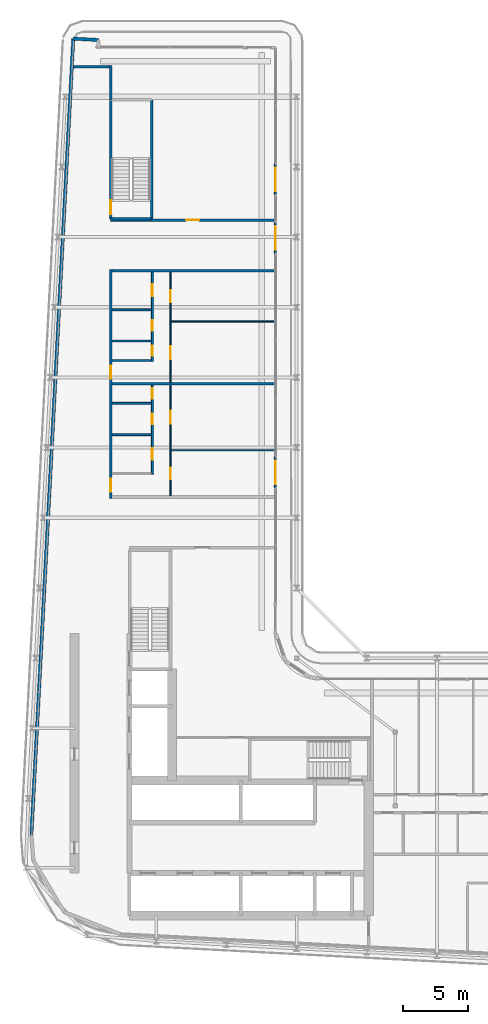
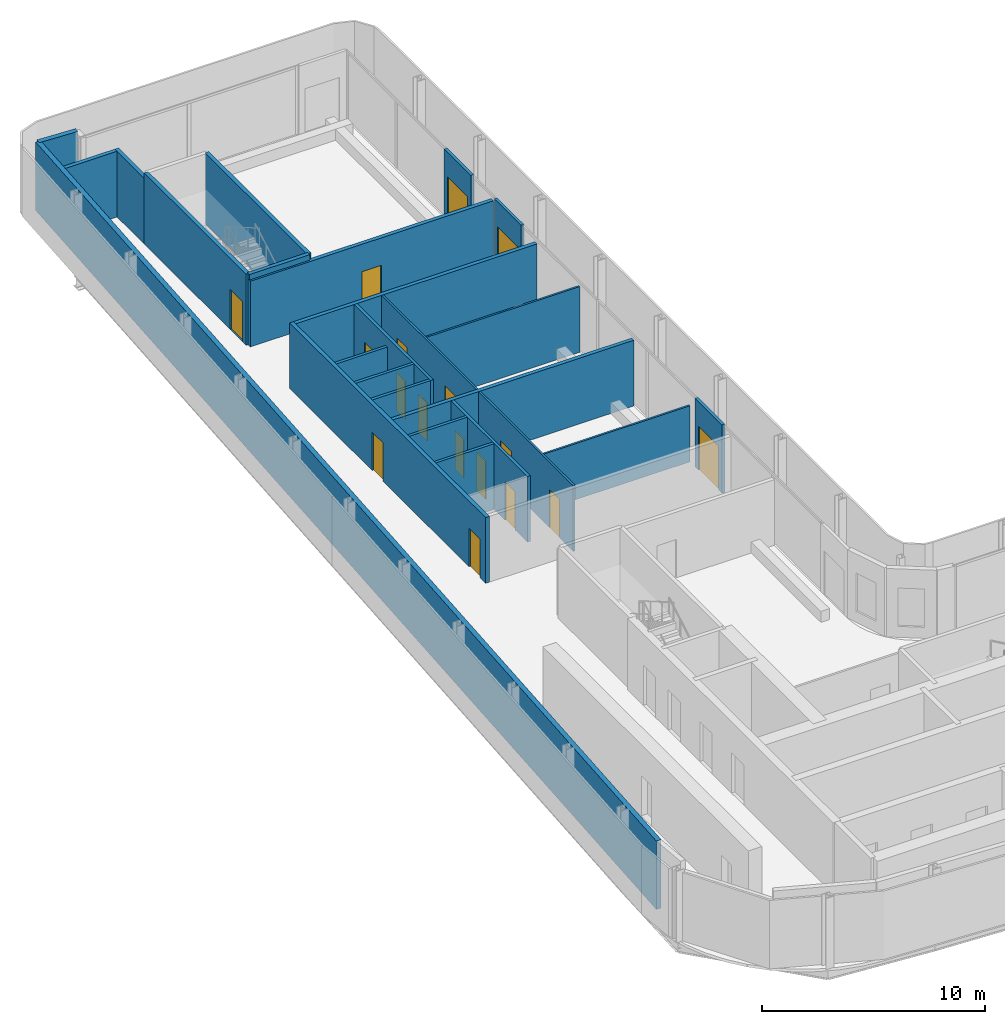
# One storey, part 13 of 21: 25 walls, 17 doors, 17 openings.
"""IFC4 building model written with IfcOpenShell, lengths in metres."""

from ifc_helpers import new_model, si_unit, direction, frame, frame_2d, origin, place, context, subcontext, project, spatial, rectangle, extrude, source, transform, mapped, material, layer, layer_set, type_object, element, fill, save


model = new_model("IFC4")

# Units and contexts
model_context = context("Model", 3, precision=1e-05, world=origin(), true_north=direction((0.0, 1.0)))
body_context = subcontext(model_context, "Body", "Model", "MODEL_VIEW")
ifc_project = project(units=[si_unit("LENGTHUNIT", "METRE"), si_unit("AREAUNIT", "SQUARE_METRE"), si_unit("VOLUMEUNIT", "CUBIC_METRE"), si_unit("PLANEANGLEUNIT", "RADIAN"), si_unit("MASSUNIT", "GRAM", prefix="KILO")], contexts=[model_context])

# Site, building, storey
site_placement = place(None, origin())
site = spatial("IfcSite", under=ifc_project, at=site_placement, CompositionType="ELEMENT")
building_placement = place(site_placement, origin())
building = spatial("IfcBuilding", under=site, at=building_placement, Name="Kheshtan School and Residences Tower", CompositionType="ELEMENT")
storey_placement = place(building_placement, frame((0.0, 0.0, 227.89990234375)))
storey = spatial("IfcBuildingStorey", under=building, at=storey_placement, Name="L53", CompositionType="ELEMENT", Elevation=227.89990234375)

# Wall
ifc_material_1 = material(Name="Gypsum board on steel studs with fire boards", Category="steel")
ifc_layer_1 = layer(ifc_material_1, 0.199951171875)
ifc_layer_set_1 = layer_set([ifc_layer_1], Name="Corridor wall 200")
wall_type_1 = type_object("IfcWallType", Name="Corridor wall 200", PredefinedType="PARTITIONING", material=ifc_layer_set_1)
wall_1_placement = place(storey_placement, frame((30.432373046875, 91.10009765625, 0.0), z_axis=(0.0, 0.0, 1.0), x_axis=(1.0, 0.0, 0.0)))
element("IfcWall", 1, at=wall_1_placement, inside=storey, type_object=wall_type_1, Name="Partition L53-001", PredefinedType="PARTITIONING", context=body_context, shape_type="SweptSolid", body=[
    extrude(rectangle(XDim=2.767578125, YDim=0.199951171875, at=frame_2d((1.3837890625, 0.0))), origin(), (0.0, 0.0, 1.0), 3.60009765625),
])

# Wall, openings, doors
wall_2_placement = place(storey_placement, frame((33.300048828125, 57.89990234375, 0.0), z_axis=(0.0, 0.0, 1.0), x_axis=(0.0, 1.0, 0.0)))
wall_2 = element("IfcWall", 2, at=wall_2_placement, inside=storey, type_object=wall_type_1, Name="Partition L53-002", PredefinedType="PARTITIONING", context=body_context, shape_type="SweptSolid", body=[
    extrude(rectangle(XDim=17.60009765625, YDim=0.199951171875, at=frame_2d((8.800048828125, 0.0))), origin(), (0.0, 0.0, 1.0), 3.60009765625),
])
opening_1_placement = place(wall_2_placement, frame((0.5, 0.0, 0.0)))
opening_1 = element("IfcOpeningElement", 3, at=opening_1_placement, cuts=wall_2, Name="Opening D52-022", PredefinedType="OPENING", context=body_context, shape_type="SweptSolid", body=[
    extrude(rectangle(XDim=1.0, YDim=2.10009765625, at=frame_2d((0.5, 1.050048828125))), frame((0.0, 0.10986328125, 0.0), z_axis=(0.0, -1.0, 0.0), x_axis=(1.0, 0.0, 0.0)), (0.0, 0.0, 1.0), 0.219970703125),
])
opening_2_placement = place(wall_2_placement, frame((9.199951171875, 0.0, 0.0)))
opening_2 = element("IfcOpeningElement", 4, at=opening_2_placement, cuts=wall_2, Name="Opening D52-028", PredefinedType="OPENING", context=body_context, shape_type="SweptSolid", body=[
    extrude(rectangle(XDim=1.0, YDim=2.10009765625, at=frame_2d((0.5, 1.050048828125))), frame((0.0, 0.10986328125, 0.0), z_axis=(0.0, -1.0, 0.0), x_axis=(1.0, 0.0, 0.0)), (0.0, 0.0, 1.0), 0.219970703125),
])
ifc_material_2 = material(Name="Steel-framed fire-resisting door leaf", Category="steel")
door_type_1 = type_object("IfcDoorType", Name="Fire door FD30S 1000 x 2100", OperationType="SINGLE_SWING_LEFT", PredefinedType="DOOR", material=ifc_material_2)
shared_shape_1 = source(origin(), body_context, "Body", "SweptSolid", [
    extrude(rectangle(XDim=1.0, YDim=2.10009765625, at=frame_2d((0.5, 1.050048828125))), frame((0.0, 0.02490234375, 0.0), z_axis=(0.0, -1.0, 0.0), x_axis=(1.0, 0.0, 0.0)), (0.0, 0.0, 1.0), 0.050048828125),
])
door_1_placement = place(opening_1_placement, origin())
door_1 = element("IfcDoor", 5, at=door_1_placement, inside=storey, type_object=door_type_1, Name="Door D52-022", OperationType="SINGLE_SWING_RIGHT", OverallHeight=2.10009765625, OverallWidth=1.0, PredefinedType="DOOR", context=body_context, shape_type="MappedRepresentation", body=[
    mapped(shared_shape_1, transform((0.0, 0.0, 0.0), x_axis=(1.0, 0.0, 0.0), y_axis=(0.0, 1.0, 0.0), z_axis=(0.0, 0.0, 1.0), scale=1.0)),
])
fill(opening_1, door_1)
door_2_placement = place(opening_2_placement, origin())
door_2 = element("IfcDoor", 6, at=door_2_placement, inside=storey, type_object=door_type_1, Name="Door D52-028", OperationType="SINGLE_SWING_LEFT", OverallHeight=2.10009765625, OverallWidth=1.0, PredefinedType="DOOR", context=body_context, shape_type="MappedRepresentation", body=[
    mapped(shared_shape_1, transform((0.0, 0.0, 0.0), x_axis=(1.0, 0.0, 0.0), y_axis=(0.0, 1.0, 0.0), z_axis=(0.0, 0.0, 1.0), scale=1.0)),
])
fill(opening_2, door_2)

# Wall, opening, door
wall_3_placement = place(storey_placement, frame((33.300048828125, 79.300048828125, 0.0), z_axis=(0.0, 0.0, 1.0), x_axis=(1.0, 0.0, 0.0)))
wall_3 = element("IfcWall", 7, at=wall_3_placement, inside=storey, type_object=wall_type_1, Name="Partition L53-003", PredefinedType="PARTITIONING", context=body_context, shape_type="SweptSolid", body=[
    extrude(rectangle(XDim=12.599853515625, YDim=0.199951171875, at=frame_2d((6.2998046875, 0.0))), origin(), (0.0, 0.0, 1.0), 3.60009765625),
])
opening_3_placement = place(wall_3_placement, frame((5.794921875, 0.0, 0.0)))
opening_3 = element("IfcOpeningElement", 8, at=opening_3_placement, cuts=wall_3, Name="Opening D52-035", PredefinedType="OPENING", context=body_context, shape_type="SweptSolid", body=[
    extrude(rectangle(XDim=1.0, YDim=2.10009765625, at=frame_2d((0.5, 1.050048828125))), frame((0.0, 0.10986328125, 0.0), z_axis=(0.0, -1.0, 0.0), x_axis=(1.0, 0.0, 0.0)), (0.0, 0.0, 1.0), 0.219970703125),
])
door_type_2 = type_object("IfcDoorType", Name="Fire door FD60 1000 x 2100", OperationType="SINGLE_SWING_LEFT", PredefinedType="DOOR", material=ifc_material_2)
shared_shape_2 = source(origin(), body_context, "Body", "SweptSolid", [
    extrude(rectangle(XDim=1.0, YDim=2.10009765625, at=frame_2d((0.5, 1.050048828125))), frame((0.0, 0.02490234375, 0.0), z_axis=(0.0, -1.0, 0.0), x_axis=(1.0, 0.0, 0.0)), (0.0, 0.0, 1.0), 0.050048828125),
])
door_3_placement = place(opening_3_placement, origin())
door_3 = element("IfcDoor", 9, at=door_3_placement, inside=storey, type_object=door_type_2, Name="Door D52-035", OperationType="SINGLE_SWING_LEFT", OverallHeight=2.10009765625, OverallWidth=1.0, PredefinedType="DOOR", context=body_context, shape_type="MappedRepresentation", body=[
    mapped(shared_shape_2, transform((0.0, 0.0, 0.0), x_axis=(1.0, 0.0, 0.0), y_axis=(0.0, 1.0, 0.0), z_axis=(0.0, 0.0, 1.0), scale=1.0)),
])
fill(opening_3, door_3)

# Walls
wall_4_placement = place(storey_placement, frame((33.300048828125, 88.56005859375, 0.0), z_axis=(0.0, 0.0, 1.0), x_axis=(0.0, 1.0, 0.0)))
element("IfcWall", 10, at=wall_4_placement, inside=storey, type_object=wall_type_1, Name="Partition L53-004", PredefinedType="PARTITIONING", context=body_context, shape_type="SweptSolid", body=[
    extrude(rectangle(XDim=2.639892578125, YDim=0.199951171875, at=frame_2d((1.31982421875, 0.0))), origin(), (0.0, 0.0, 1.0), 3.60009765625),
])
wall_5_placement = place(storey_placement, frame((33.39990234375, 75.39990234375, 0.0), z_axis=(0.0, 0.0, 1.0), x_axis=(1.0, 0.0, 0.0)))
element("IfcWall", 11, at=wall_5_placement, inside=storey, type_object=wall_type_1, Name="Partition L53-013", PredefinedType="PARTITIONING", context=body_context, shape_type="SweptSolid", body=[
    extrude(rectangle(XDim=12.5, YDim=0.199951171875, at=frame_2d((6.25, 0.0))), origin(), (0.0, 0.0, 1.0), 3.60009765625),
])
ifc_material_3 = material(Name="Concrete C40/50 with ceramic cladding and mineral wool insulation", Category="concrete")
ifc_layer_2 = layer(ifc_material_3, 0.25)
ifc_layer_set_2 = layer_set([ifc_layer_2], Name="External wall 250 ceramic clad")
wall_type_2 = type_object("IfcWallType", Name="External wall 250 ceramic clad", PredefinedType="SOLIDWALL", material=ifc_layer_set_2)
wall_6_placement = place(storey_placement, frame((30.4208984375, 93.263916015625, 0.0), z_axis=(0.0, 0.0, 1.0), x_axis=(0.998577785791, -0.053314216913, 0.0)))
element("IfcWall", 12, at=wall_6_placement, inside=storey, type_object=wall_type_2, Name="External wall L53 1", PredefinedType="SOLIDWALL", context=body_context, shape_type="SweptSolid", body=[
    extrude(rectangle(XDim=1.95068359375, YDim=0.25, at=frame_2d((0.975341796875, 0.0))), origin(), (0.0, 0.0, 1.0), 3.75),
])
wall_7_placement = place(storey_placement, frame((27.195068359375, 31.968994140625, 0.0), z_axis=(0.0, 0.0, 1.0), x_axis=(0.052555284099, 0.998618016117, 0.0)))
element("IfcWall", 13, at=wall_7_placement, inside=storey, type_object=wall_type_2, Name="External wall L53 16", PredefinedType="SOLIDWALL", context=body_context, shape_type="SweptSolid", body=[
    extrude(rectangle(XDim=61.379638671875, YDim=0.25, at=frame_2d((30.68994140625, 0.0))), origin(), (0.0, 0.0, 1.0), 3.75),
])

# Wall, opening, door
ifc_material_4 = material(Name="Aluminium frame wall with insulated infill", Category="aluminium")
ifc_layer_3 = layer(ifc_material_4, 0.14990234375)
ifc_layer_set_3 = layer_set([ifc_layer_3], Name="Glazing frame wall 150")
wall_type_3 = type_object("IfcWallType", Name="Glazing frame wall 150", PredefinedType="SOLIDWALL", material=ifc_layer_set_3)
wall_8_placement = place(storey_placement, frame((45.97509765625, 83.632080078125, 0.0), z_axis=(0.0, 0.0, 1.0), x_axis=(0.0, -1.0, 0.0)))
wall_8 = element("IfcWall", 14, at=wall_8_placement, inside=storey, type_object=wall_type_3, Name="Balcony door wall L53 4.1", PredefinedType="SOLIDWALL", context=body_context, shape_type="SweptSolid", body=[
    extrude(rectangle(XDim=2.399169921875, YDim=0.14990234375, at=frame_2d((1.19970703125, 0.0))), origin(), (0.0, 0.0, 1.0), 3.75),
])
opening_4_placement = place(wall_8_placement, frame((0.300048828125, 0.0, 0.0)))
opening_4 = element("IfcOpeningElement", 15, at=opening_4_placement, cuts=wall_8, Name="Opening BD", PredefinedType="OPENING", context=body_context, shape_type="SweptSolid", body=[
    extrude(rectangle(XDim=1.800048828125, YDim=2.39990234375, at=frame_2d((0.89990234375, 1.199951171875))), frame((0.0, 0.0849609375, 0.0), z_axis=(0.0, -1.0, 0.0), x_axis=(1.0, 0.0, 0.0)), (0.0, 0.0, 1.0), 0.169921875),
])
ifc_material_5 = material(Name="Clear low-e glass in thermally broken aluminium frame", Category="aluminium")
door_type_3 = type_object("IfcDoorType", Name="Balcony sliding door", OperationType="SLIDING_TO_LEFT", PredefinedType="DOOR", material=ifc_material_5)
shared_shape_3 = source(origin(), body_context, "Body", "SweptSolid", [
    extrude(rectangle(XDim=1.800048828125, YDim=2.39990234375, at=frame_2d((0.89990234375, 1.199951171875))), frame((0.0, 0.02490234375, 0.0), z_axis=(0.0, -1.0, 0.0), x_axis=(1.0, 0.0, 0.0)), (0.0, 0.0, 1.0), 0.050048828125),
])
door_4_placement = place(opening_4_placement, origin())
door_4 = element("IfcDoor", 16, at=door_4_placement, inside=storey, type_object=door_type_3, Name="Balcony door L53 4.1", OperationType="SLIDING_TO_LEFT", OverallHeight=2.39990234375, OverallWidth=1.800048828125, PredefinedType="DOOR", context=body_context, shape_type="MappedRepresentation", body=[
    mapped(shared_shape_3, transform((0.0, 0.0, 0.0), x_axis=(1.0, 0.0, 0.0), y_axis=(0.0, 1.0, 0.0), z_axis=(0.0, 0.0, 1.0), scale=1.0)),
])
fill(opening_4, door_4)

wall_9_placement = place(storey_placement, frame((45.97509765625, 79.132080078125, 0.0), z_axis=(0.0, 0.0, 1.0), x_axis=(0.0, -1.0, 0.0)))
wall_9 = element("IfcWall", 17, at=wall_9_placement, inside=storey, type_object=wall_type_3, Name="Balcony door wall L53 4.2", PredefinedType="SOLIDWALL", context=body_context, shape_type="SweptSolid", body=[
    extrude(rectangle(XDim=2.399169921875, YDim=0.14990234375, at=frame_2d((1.19970703125, 0.0))), origin(), (0.0, 0.0, 1.0), 3.75),
])
opening_5_placement = place(wall_9_placement, frame((0.300048828125, 0.0, 0.0)))
opening_5 = element("IfcOpeningElement", 18, at=opening_5_placement, cuts=wall_9, Name="Opening BD", PredefinedType="OPENING", context=body_context, shape_type="SweptSolid", body=[
    extrude(rectangle(XDim=1.800048828125, YDim=2.39990234375, at=frame_2d((0.89990234375, 1.199951171875))), frame((0.0, 0.0849609375, 0.0), z_axis=(0.0, -1.0, 0.0), x_axis=(1.0, 0.0, 0.0)), (0.0, 0.0, 1.0), 0.169921875),
])
door_5_placement = place(opening_5_placement, origin())
door_5 = element("IfcDoor", 19, at=door_5_placement, inside=storey, type_object=door_type_3, Name="Balcony door L53 4.2", OperationType="SLIDING_TO_LEFT", OverallHeight=2.39990234375, OverallWidth=1.800048828125, PredefinedType="DOOR", context=body_context, shape_type="MappedRepresentation", body=[
    mapped(shared_shape_3, transform((0.0, 0.0, 0.0), x_axis=(1.0, 0.0, 0.0), y_axis=(0.0, 1.0, 0.0), z_axis=(0.0, 0.0, 1.0), scale=1.0)),
])
fill(opening_5, door_5)

wall_10_placement = place(storey_placement, frame((45.97509765625, 61.096923828125, 0.0), z_axis=(0.0, 0.0, 1.0), x_axis=(0.0, -1.0, 0.0)))
wall_10 = element("IfcWall", 20, at=wall_10_placement, inside=storey, type_object=wall_type_3, Name="Balcony door wall L53 4.3", PredefinedType="SOLIDWALL", context=body_context, shape_type="SweptSolid", body=[
    extrude(rectangle(XDim=2.39990234375, YDim=0.14990234375, at=frame_2d((1.199951171875, 0.0))), origin(), (0.0, 0.0, 1.0), 3.75),
])
opening_6_placement = place(wall_10_placement, frame((0.300048828125, 0.0, 0.0)))
opening_6 = element("IfcOpeningElement", 21, at=opening_6_placement, cuts=wall_10, Name="Opening BD", PredefinedType="OPENING", context=body_context, shape_type="SweptSolid", body=[
    extrude(rectangle(XDim=1.800048828125, YDim=2.39990234375, at=frame_2d((0.89990234375, 1.199951171875))), frame((0.0, 0.0849609375, 0.0), z_axis=(0.0, -1.0, 0.0), x_axis=(1.0, 0.0, 0.0)), (0.0, 0.0, 1.0), 0.169921875),
])
door_6_placement = place(opening_6_placement, origin())
door_6 = element("IfcDoor", 22, at=door_6_placement, inside=storey, type_object=door_type_3, Name="Balcony door L53 4.3", OperationType="SLIDING_TO_LEFT", OverallHeight=2.39990234375, OverallWidth=1.800048828125, PredefinedType="DOOR", context=body_context, shape_type="MappedRepresentation", body=[
    mapped(shared_shape_3, transform((0.0, 0.0, 0.0), x_axis=(1.0, 0.0, 0.0), y_axis=(0.0, 1.0, 0.0), z_axis=(0.0, 0.0, 1.0), scale=1.0)),
])
fill(opening_6, door_6)

# Wall, openings, doors
ifc_material_6 = material(Name="Gypsum board on steel studs", Category="steel")
ifc_layer_4 = layer(ifc_material_6, 0.10009765625)
ifc_layer_set_4 = layer_set([ifc_layer_4], Name="Gypsum partition 100")
wall_type_4 = type_object("IfcWallType", Name="Gypsum partition 100", PredefinedType="PARTITIONING", material=ifc_layer_set_4)
wall_11_placement = place(storey_placement, frame((37.89990234375, 58.10009765625, 0.0), z_axis=(0.0, 0.0, 1.0), x_axis=(0.0, 1.0, 0.0)))
wall_11 = element("IfcWall", 23, at=wall_11_placement, inside=storey, type_object=wall_type_4, Name="Partition L53-017", PredefinedType="PARTITIONING", context=body_context, shape_type="SweptSolid", body=[
    extrude(rectangle(XDim=8.5, YDim=0.10009765625, at=frame_2d((4.25, 0.0))), origin(), (0.0, 0.0, 1.0), 3.60009765625),
])
opening_7_placement = place(wall_11_placement, frame((1.25, 0.0, 0.0)))
opening_7 = element("IfcOpeningElement", 24, at=opening_7_placement, cuts=wall_11, Name="Opening D52-021", PredefinedType="OPENING", context=body_context, shape_type="SweptSolid", body=[
    extrude(rectangle(XDim=0.89990234375, YDim=2.10009765625, at=frame_2d((0.449951171875, 1.050048828125))), frame((0.0, 0.06005859375, 0.0), z_axis=(0.0, -1.0, 0.0), x_axis=(1.0, 0.0, 0.0)), (0.0, 0.0, 1.0), 0.1201171875),
])
opening_8_placement = place(wall_11_placement, frame((5.550048828125, 0.0, 0.0)))
opening_8 = element("IfcOpeningElement", 25, at=opening_8_placement, cuts=wall_11, Name="Opening D52-024", PredefinedType="OPENING", context=body_context, shape_type="SweptSolid", body=[
    extrude(rectangle(XDim=1.0, YDim=2.10009765625, at=frame_2d((0.5, 1.050048828125))), frame((0.0, 0.06005859375, 0.0), z_axis=(0.0, -1.0, 0.0), x_axis=(1.0, 0.0, 0.0)), (0.0, 0.0, 1.0), 0.1201171875),
])
ifc_material_7 = material(Name="Veneered timber door leaf", Category="wood")
door_type_4 = type_object("IfcDoorType", Name="Door 1000 x 2100", OperationType="SINGLE_SWING_LEFT", PredefinedType="DOOR", material=ifc_material_7)
shared_shape_4 = source(origin(), body_context, "Body", "SweptSolid", [
    extrude(rectangle(XDim=1.0, YDim=2.10009765625, at=frame_2d((0.5, 1.050048828125))), frame((0.0, 0.02490234375, 0.0), z_axis=(0.0, -1.0, 0.0), x_axis=(1.0, 0.0, 0.0)), (0.0, 0.0, 1.0), 0.050048828125),
])
door_7_placement = place(opening_8_placement, origin())
door_7 = element("IfcDoor", 26, at=door_7_placement, inside=storey, type_object=door_type_4, Name="Door D52-024", OperationType="SINGLE_SWING_RIGHT", OverallHeight=2.10009765625, OverallWidth=1.0, PredefinedType="DOOR", context=body_context, shape_type="MappedRepresentation", body=[
    mapped(shared_shape_4, transform((0.0, 0.0, 0.0), x_axis=(1.0, 0.0, 0.0), y_axis=(0.0, 1.0, 0.0), z_axis=(0.0, 0.0, 1.0), scale=1.0)),
])
fill(opening_8, door_7)
door_type_5 = type_object("IfcDoorType", Name="Door 900 x 2100", OperationType="SINGLE_SWING_LEFT", PredefinedType="DOOR", material=ifc_material_7)
shared_shape_5 = source(origin(), body_context, "Body", "SweptSolid", [
    extrude(rectangle(XDim=0.89990234375, YDim=2.10009765625, at=frame_2d((0.449951171875, 1.050048828125))), frame((0.0, 0.02490234375, 0.0), z_axis=(0.0, -1.0, 0.0), x_axis=(1.0, 0.0, 0.0)), (0.0, 0.0, 1.0), 0.050048828125),
])
door_8_placement = place(opening_7_placement, origin())
door_8 = element("IfcDoor", 27, at=door_8_placement, inside=storey, type_object=door_type_5, Name="Door D52-021", OperationType="SINGLE_SWING_LEFT", OverallHeight=2.10009765625, OverallWidth=0.89990234375, PredefinedType="DOOR", context=body_context, shape_type="MappedRepresentation", body=[
    mapped(shared_shape_5, transform((0.0, 0.0, 0.0), x_axis=(1.0, 0.0, 0.0), y_axis=(0.0, 1.0, 0.0), z_axis=(0.0, 0.0, 1.0), scale=1.0)),
])
fill(opening_7, door_8)

wall_12_placement = place(storey_placement, frame((37.89990234375, 66.800048828125, 0.0), z_axis=(0.0, 0.0, 1.0), x_axis=(0.0, 1.0, 0.0)))
wall_12 = element("IfcWall", 28, at=wall_12_placement, inside=storey, type_object=wall_type_4, Name="Partition L53-018", PredefinedType="PARTITIONING", context=body_context, shape_type="SweptSolid", body=[
    extrude(rectangle(XDim=8.5, YDim=0.10009765625, at=frame_2d((4.25, 0.0))), origin(), (0.0, 0.0, 1.0), 3.60009765625),
])
opening_9_placement = place(wall_12_placement, frame((6.199951171875, 0.0, 0.0)))
opening_9 = element("IfcOpeningElement", 29, at=opening_9_placement, cuts=wall_12, Name="Opening D52-027", PredefinedType="OPENING", context=body_context, shape_type="SweptSolid", body=[
    extrude(rectangle(XDim=0.89990234375, YDim=2.10009765625, at=frame_2d((0.449951171875, 1.050048828125))), frame((0.0, 0.06005859375, 0.0), z_axis=(0.0, -1.0, 0.0), x_axis=(1.0, 0.0, 0.0)), (0.0, 0.0, 1.0), 0.1201171875),
])
opening_10_placement = place(wall_12_placement, frame((1.800048828125, 0.0, 0.0)))
opening_10 = element("IfcOpeningElement", 30, at=opening_10_placement, cuts=wall_12, Name="Opening D52-030", PredefinedType="OPENING", context=body_context, shape_type="SweptSolid", body=[
    extrude(rectangle(XDim=1.0, YDim=2.10009765625, at=frame_2d((0.5, 1.050048828125))), frame((0.0, 0.06005859375, 0.0), z_axis=(0.0, -1.0, 0.0), x_axis=(1.0, 0.0, 0.0)), (0.0, 0.0, 1.0), 0.1201171875),
])
door_9_placement = place(opening_10_placement, origin())
door_9 = element("IfcDoor", 31, at=door_9_placement, inside=storey, type_object=door_type_4, Name="Door D52-030", OperationType="SINGLE_SWING_RIGHT", OverallHeight=2.10009765625, OverallWidth=1.0, PredefinedType="DOOR", context=body_context, shape_type="MappedRepresentation", body=[
    mapped(shared_shape_4, transform((0.0, 0.0, 0.0), x_axis=(1.0, 0.0, 0.0), y_axis=(0.0, 1.0, 0.0), z_axis=(0.0, 0.0, 1.0), scale=1.0)),
])
fill(opening_10, door_9)
door_10_placement = place(opening_9_placement, origin())
door_10 = element("IfcDoor", 32, at=door_10_placement, inside=storey, type_object=door_type_5, Name="Door D52-027", OperationType="SINGLE_SWING_RIGHT", OverallHeight=2.10009765625, OverallWidth=0.89990234375, PredefinedType="DOOR", context=body_context, shape_type="MappedRepresentation", body=[
    mapped(shared_shape_5, transform((0.0, 0.0, 0.0), x_axis=(1.0, 0.0, 0.0), y_axis=(0.0, 1.0, 0.0), z_axis=(0.0, 0.0, 1.0), scale=1.0)),
])
fill(opening_9, door_10)

# Walls
wall_13_placement = place(storey_placement, frame((37.949951171875, 61.60009765625, 0.0), z_axis=(0.0, 0.0, 1.0), x_axis=(1.0, 0.0, 0.0)))
element("IfcWall", 33, at=wall_13_placement, inside=storey, type_object=wall_type_4, Name="Partition L53-019", PredefinedType="PARTITIONING", context=body_context, shape_type="SweptSolid", body=[
    extrude(rectangle(XDim=7.949951171875, YDim=0.10009765625, at=frame_2d((3.97509765625, 0.0))), origin(), (0.0, 0.0, 1.0), 3.072021484375),
])
wall_14_placement = place(storey_placement, frame((37.949951171875, 71.5, 0.0), z_axis=(0.0, 0.0, 1.0), x_axis=(1.0, 0.0, 0.0)))
element("IfcWall", 34, at=wall_14_placement, inside=storey, type_object=wall_type_4, Name="Partition L53-020", PredefinedType="PARTITIONING", context=body_context, shape_type="SweptSolid", body=[
    extrude(rectangle(XDim=7.949951171875, YDim=0.10009765625, at=frame_2d((3.97509765625, 0.0))), origin(), (0.0, 0.0, 1.0), 3.60009765625),
])
ifc_material_8 = material(Name="Concrete C40/50", Category="concrete")
ifc_layer_5 = layer(ifc_material_8, 0.199951171875)
ifc_layer_set_5 = layer_set([ifc_layer_5], Name="Stair enclosure wall 200 Concrete C40/50")
wall_type_5 = type_object("IfcWallType", Name="Stair enclosure wall 200 Concrete C40/50", PredefinedType="SHEAR", material=ifc_layer_set_5)
wall_15_placement = place(storey_placement, frame((33.300048828125, 79.39990234375, 0.0), z_axis=(0.0, 0.0, 1.0), x_axis=(1.0, 0.0, 0.0)))
element("IfcWall", 35, at=wall_15_placement, inside=storey, type_object=wall_type_5, Name="Stair enclosure wall ST3", PredefinedType="SHEAR", context=body_context, shape_type="SweptSolid", body=[
    extrude(rectangle(XDim=3.14990234375, YDim=0.199951171875, at=frame_2d((1.574951171875, 0.0))), origin(), (0.0, 0.0, 1.0), 3.900146484375),
])

# Wall, opening, door
wall_16_placement = place(storey_placement, frame((33.300048828125, 79.39990234375, 0.0), z_axis=(0.0, 0.0, 1.0), x_axis=(0.0, 1.0, 0.0)))
wall_16 = element("IfcWall", 36, at=wall_16_placement, inside=storey, type_object=wall_type_5, Name="Stair enclosure wall ST3", PredefinedType="SHEAR", context=body_context, shape_type="SweptSolid", body=[
    extrude(rectangle(XDim=9.16015625, YDim=0.199951171875, at=frame_2d((4.580078125, 0.0))), origin(), (0.0, 0.0, 1.0), 3.900146484375),
])
opening_11_placement = place(wall_16_placement, frame((0.35009765625, 0.0, 0.0)))
opening_11 = element("IfcOpeningElement", 37, at=opening_11_placement, cuts=wall_16, Name="Opening ST3D", PredefinedType="OPENING", context=body_context, shape_type="SweptSolid", body=[
    extrude(rectangle(XDim=1.10009765625, YDim=2.199951171875, at=frame_2d((0.550048828125, 1.10009765625))), frame((0.0, 0.10986328125, 0.0), z_axis=(0.0, -1.0, 0.0), x_axis=(1.0, 0.0, 0.0)), (0.0, 0.0, 1.0), 0.219970703125),
])
ifc_material_9 = material(Name="Steel door leaf, galvanised", Category="steel")
door_type_6 = type_object("IfcDoorType", Name="Stair door 1100 steel 90 min", OperationType="SINGLE_SWING_LEFT", PredefinedType="DOOR", material=ifc_material_9)
shared_shape_6 = source(origin(), body_context, "Body", "SweptSolid", [
    extrude(rectangle(XDim=1.10009765625, YDim=2.199951171875, at=frame_2d((0.550048828125, 1.10009765625))), frame((0.0, 0.02490234375, 0.0), z_axis=(0.0, -1.0, 0.0), x_axis=(1.0, 0.0, 0.0)), (0.0, 0.0, 1.0), 0.050048828125),
])
door_11_placement = place(opening_11_placement, origin())
door_11 = element("IfcDoor", 38, at=door_11_placement, inside=storey, type_object=door_type_6, Name="Stair ST3 door", OperationType="SINGLE_SWING_RIGHT", OverallHeight=2.199951171875, OverallWidth=1.10009765625, PredefinedType="DOOR", context=body_context, shape_type="MappedRepresentation", body=[
    mapped(shared_shape_6, transform((0.0, 0.0, 0.0), x_axis=(1.0, 0.0, 0.0), y_axis=(0.0, 1.0, 0.0), z_axis=(0.0, 0.0, 1.0), scale=1.0)),
])
fill(opening_11, door_11)

# Walls
wall_17_placement = place(storey_placement, frame((36.449951171875, 79.39990234375, 0.0), z_axis=(0.0, 0.0, 1.0), x_axis=(0.0, 1.0, 0.0)))
element("IfcWall", 39, at=wall_17_placement, inside=storey, type_object=wall_type_5, Name="Stair enclosure wall ST3", PredefinedType="SHEAR", context=body_context, shape_type="SweptSolid", body=[
    extrude(rectangle(XDim=9.16015625, YDim=0.199951171875, at=frame_2d((4.580078125, 0.0))), origin(), (0.0, 0.0, 1.0), 3.900146484375),
])
ifc_material_10 = material(Name="Twin gypsum board on steel studs with mineral wool", Category="steel")
ifc_layer_6 = layer(ifc_material_10, 0.199951171875)
ifc_layer_set_6 = layer_set([ifc_layer_6], Name="Unit demising wall 200")
wall_type_6 = type_object("IfcWallType", Name="Unit demising wall 200", PredefinedType="PARTITIONING", material=ifc_layer_set_6)
wall_18_placement = place(storey_placement, frame((33.39990234375, 66.699951171875, 0.0), z_axis=(0.0, 0.0, 1.0), x_axis=(1.0, 0.0, 0.0)))
element("IfcWall", 40, at=wall_18_placement, inside=storey, type_object=wall_type_6, Name="Partition L53-009", PredefinedType="PARTITIONING", context=body_context, shape_type="SweptSolid", body=[
    extrude(rectangle(XDim=12.5, YDim=0.199951171875, at=frame_2d((6.25, 0.0))), origin(), (0.0, 0.0, 1.0), 3.60009765625),
])
ifc_material_11 = material(Name="Moisture-resistant gypsum board on steel studs", Category="steel")
ifc_layer_7 = layer(ifc_material_11, 0.14990234375)
ifc_layer_set_7 = layer_set([ifc_layer_7], Name="Wet-room partition 150")
wall_type_7 = type_object("IfcWallType", Name="Wet-room partition 150", PredefinedType="PARTITIONING", material=ifc_layer_set_7)
for number, where, z_axis, x_axis, name in (
    (41, (33.39990234375, 62.800048828125, 0.0), (0.0, 0.0, 1.0), (1.0, 0.0, 0.0), "Partition L53-007"),
    (42, (33.39990234375, 65.199951171875, 0.0), (0.0, 0.0, 1.0), (1.0, 0.0, 0.0), "Partition L53-008"),
    (43, (33.39990234375, 68.5, 0.0), (0.0, 0.0, 1.0), (1.0, 0.0, 0.0), "Partition L53-010"),
    (44, (33.39990234375, 70.0, 0.0), (0.0, 0.0, 1.0), (1.0, 0.0, 0.0), "Partition L53-011"),
):
    element("IfcWall", number, at=place(storey_placement, frame(where, z_axis=z_axis, x_axis=x_axis)), inside=storey, type_object=wall_type_7, Name=name, PredefinedType="PARTITIONING", context=body_context, shape_type="SweptSolid", body=[
        extrude(rectangle(XDim=3.025146484375, YDim=0.14990234375, at=frame_2d((1.5126953125, 0.0))), origin(), (0.0, 0.0, 1.0), 3.60009765625),
    ])
wall_19_placement = place(storey_placement, frame((33.39990234375, 72.39990234375, 0.0), z_axis=(0.0, 0.0, 1.0), x_axis=(1.0, 0.0, 0.0)))
element("IfcWall", 45, at=wall_19_placement, inside=storey, type_object=wall_type_7, Name="Partition L53-012", PredefinedType="PARTITIONING", context=body_context, shape_type="SweptSolid", body=[
    extrude(rectangle(XDim=3.025146484375, YDim=0.14990234375, at=frame_2d((1.5126953125, 0.0))), origin(), (0.0, 0.0, 1.0), 3.072021484375),
])

# Wall, openings, doors
wall_20_placement = place(storey_placement, frame((36.5, 59.75, 0.0), z_axis=(0.0, 0.0, 1.0), x_axis=(0.0, 1.0, 0.0)))
wall_20 = element("IfcWall", 46, at=wall_20_placement, inside=storey, type_object=wall_type_7, Name="Partition L53-015", PredefinedType="PARTITIONING", context=body_context, shape_type="SweptSolid", body=[
    extrude(rectangle(XDim=6.85009765625, YDim=0.14990234375, at=frame_2d((3.425048828125, 0.0))), origin(), (0.0, 0.0, 1.0), 3.60009765625),
])
opening_12_placement = place(wall_20_placement, frame((3.85009765625, 0.0, 0.0)))
opening_12 = element("IfcOpeningElement", 47, at=opening_12_placement, cuts=wall_20, Name="Opening D52-020", PredefinedType="OPENING", context=body_context, shape_type="SweptSolid", body=[
    extrude(rectangle(XDim=0.800048828125, YDim=2.10009765625, at=frame_2d((0.39990234375, 1.050048828125))), frame((0.0, 0.0849609375, 0.0), z_axis=(0.0, -1.0, 0.0), x_axis=(1.0, 0.0, 0.0)), (0.0, 0.0, 1.0), 0.169921875),
])
opening_13_placement = place(wall_20_placement, frame((1.10009765625, 0.0, 0.0)))
opening_13 = element("IfcOpeningElement", 48, at=opening_13_placement, cuts=wall_20, Name="Opening D52-023", PredefinedType="OPENING", context=body_context, shape_type="SweptSolid", body=[
    extrude(rectangle(XDim=0.89990234375, YDim=2.10009765625, at=frame_2d((0.449951171875, 1.050048828125))), frame((0.0, 0.0849609375, 0.0), z_axis=(0.0, -1.0, 0.0), x_axis=(1.0, 0.0, 0.0)), (0.0, 0.0, 1.0), 0.169921875),
])
opening_14_placement = place(wall_20_placement, frame((5.800048828125, 0.0, 0.0)))
opening_14 = element("IfcOpeningElement", 49, at=opening_14_placement, cuts=wall_20, Name="Opening D52-025", PredefinedType="OPENING", context=body_context, shape_type="SweptSolid", body=[
    extrude(rectangle(XDim=0.800048828125, YDim=2.10009765625, at=frame_2d((0.39990234375, 1.050048828125))), frame((0.0, 0.0849609375, 0.0), z_axis=(0.0, -1.0, 0.0), x_axis=(1.0, 0.0, 0.0)), (0.0, 0.0, 1.0), 0.169921875),
])
door_type_7 = type_object("IfcDoorType", Name="Door 800 x 2100", OperationType="SINGLE_SWING_LEFT", PredefinedType="DOOR", material=ifc_material_7)
shared_shape_7 = source(origin(), body_context, "Body", "SweptSolid", [
    extrude(rectangle(XDim=0.800048828125, YDim=2.10009765625, at=frame_2d((0.39990234375, 1.050048828125))), frame((0.0, 0.02490234375, 0.0), z_axis=(0.0, -1.0, 0.0), x_axis=(1.0, 0.0, 0.0)), (0.0, 0.0, 1.0), 0.050048828125),
])
door_12_placement = place(opening_12_placement, origin())
door_12 = element("IfcDoor", 50, at=door_12_placement, inside=storey, type_object=door_type_7, Name="Door D52-020", OperationType="SINGLE_SWING_RIGHT", OverallHeight=2.10009765625, OverallWidth=0.800048828125, PredefinedType="DOOR", context=body_context, shape_type="MappedRepresentation", body=[
    mapped(shared_shape_7, transform((0.0, 0.0, 0.0), x_axis=(1.0, 0.0, 0.0), y_axis=(0.0, 1.0, 0.0), z_axis=(0.0, 0.0, 1.0), scale=1.0)),
])
fill(opening_12, door_12)
door_13_placement = place(opening_14_placement, origin())
door_13 = element("IfcDoor", 51, at=door_13_placement, inside=storey, type_object=door_type_7, Name="Door D52-025", OperationType="SINGLE_SWING_RIGHT", OverallHeight=2.10009765625, OverallWidth=0.800048828125, PredefinedType="DOOR", context=body_context, shape_type="MappedRepresentation", body=[
    mapped(shared_shape_7, transform((0.0, 0.0, 0.0), x_axis=(1.0, 0.0, 0.0), y_axis=(0.0, 1.0, 0.0), z_axis=(0.0, 0.0, 1.0), scale=1.0)),
])
fill(opening_14, door_13)
door_14_placement = place(opening_13_placement, origin())
door_14 = element("IfcDoor", 52, at=door_14_placement, inside=storey, type_object=door_type_5, Name="Door D52-023", OperationType="SINGLE_SWING_LEFT", OverallHeight=2.10009765625, OverallWidth=0.89990234375, PredefinedType="DOOR", context=body_context, shape_type="MappedRepresentation", body=[
    mapped(shared_shape_5, transform((0.0, 0.0, 0.0), x_axis=(1.0, 0.0, 0.0), y_axis=(0.0, 1.0, 0.0), z_axis=(0.0, 0.0, 1.0), scale=1.0)),
])
fill(opening_13, door_14)

wall_21_placement = place(storey_placement, frame((36.5, 68.425048828125, 0.0), z_axis=(0.0, 0.0, 1.0), x_axis=(0.0, 1.0, 0.0)))
wall_21 = element("IfcWall", 53, at=wall_21_placement, inside=storey, type_object=wall_type_7, Name="Partition L53-016", PredefinedType="PARTITIONING", context=body_context, shape_type="SweptSolid", body=[
    extrude(rectangle(XDim=6.875, YDim=0.14990234375, at=frame_2d((3.4375, 0.0))), origin(), (0.0, 0.0, 1.0), 3.60009765625),
])
opening_15_placement = place(wall_21_placement, frame((2.375, 0.0, 0.0)))
opening_15 = element("IfcOpeningElement", 54, at=opening_15_placement, cuts=wall_21, Name="Opening D52-026", PredefinedType="OPENING", context=body_context, shape_type="SweptSolid", body=[
    extrude(rectangle(XDim=0.800048828125, YDim=2.10009765625, at=frame_2d((0.39990234375, 1.050048828125))), frame((0.0, 0.0849609375, 0.0), z_axis=(0.0, -1.0, 0.0), x_axis=(1.0, 0.0, 0.0)), (0.0, 0.0, 1.0), 0.169921875),
])
opening_16_placement = place(wall_21_placement, frame((5.02490234375, 0.0, 0.0)))
opening_16 = element("IfcOpeningElement", 55, at=opening_16_placement, cuts=wall_21, Name="Opening D52-029", PredefinedType="OPENING", context=body_context, shape_type="SweptSolid", body=[
    extrude(rectangle(XDim=0.89990234375, YDim=2.10009765625, at=frame_2d((0.449951171875, 1.050048828125))), frame((0.0, 0.0849609375, 0.0), z_axis=(0.0, -1.0, 0.0), x_axis=(1.0, 0.0, 0.0)), (0.0, 0.0, 1.0), 0.169921875),
])
opening_17_placement = place(wall_21_placement, frame((0.425048828125, 0.0, 0.0)))
opening_17 = element("IfcOpeningElement", 56, at=opening_17_placement, cuts=wall_21, Name="Opening D52-031", PredefinedType="OPENING", context=body_context, shape_type="SweptSolid", body=[
    extrude(rectangle(XDim=0.800048828125, YDim=2.10009765625, at=frame_2d((0.39990234375, 1.050048828125))), frame((0.0, 0.0849609375, 0.0), z_axis=(0.0, -1.0, 0.0), x_axis=(1.0, 0.0, 0.0)), (0.0, 0.0, 1.0), 0.169921875),
])
door_15_placement = place(opening_15_placement, origin())
door_15 = element("IfcDoor", 57, at=door_15_placement, inside=storey, type_object=door_type_7, Name="Door D52-026", OperationType="SINGLE_SWING_RIGHT", OverallHeight=2.10009765625, OverallWidth=0.800048828125, PredefinedType="DOOR", context=body_context, shape_type="MappedRepresentation", body=[
    mapped(shared_shape_7, transform((0.0, 0.0, 0.0), x_axis=(1.0, 0.0, 0.0), y_axis=(0.0, 1.0, 0.0), z_axis=(0.0, 0.0, 1.0), scale=1.0)),
])
fill(opening_15, door_15)
door_16_placement = place(opening_17_placement, origin())
door_16 = element("IfcDoor", 58, at=door_16_placement, inside=storey, type_object=door_type_7, Name="Door D52-031", OperationType="SINGLE_SWING_RIGHT", OverallHeight=2.10009765625, OverallWidth=0.800048828125, PredefinedType="DOOR", context=body_context, shape_type="MappedRepresentation", body=[
    mapped(shared_shape_7, transform((0.0, 0.0, 0.0), x_axis=(1.0, 0.0, 0.0), y_axis=(0.0, 1.0, 0.0), z_axis=(0.0, 0.0, 1.0), scale=1.0)),
])
fill(opening_17, door_16)
door_17_placement = place(opening_16_placement, origin())
door_17 = element("IfcDoor", 59, at=door_17_placement, inside=storey, type_object=door_type_5, Name="Door D52-029", OperationType="SINGLE_SWING_RIGHT", OverallHeight=2.10009765625, OverallWidth=0.89990234375, PredefinedType="DOOR", context=body_context, shape_type="MappedRepresentation", body=[
    mapped(shared_shape_5, transform((0.0, 0.0, 0.0), x_axis=(1.0, 0.0, 0.0), y_axis=(0.0, 1.0, 0.0), z_axis=(0.0, 0.0, 1.0), scale=1.0)),
])
fill(opening_16, door_17)

save(model, "model.ifc")
